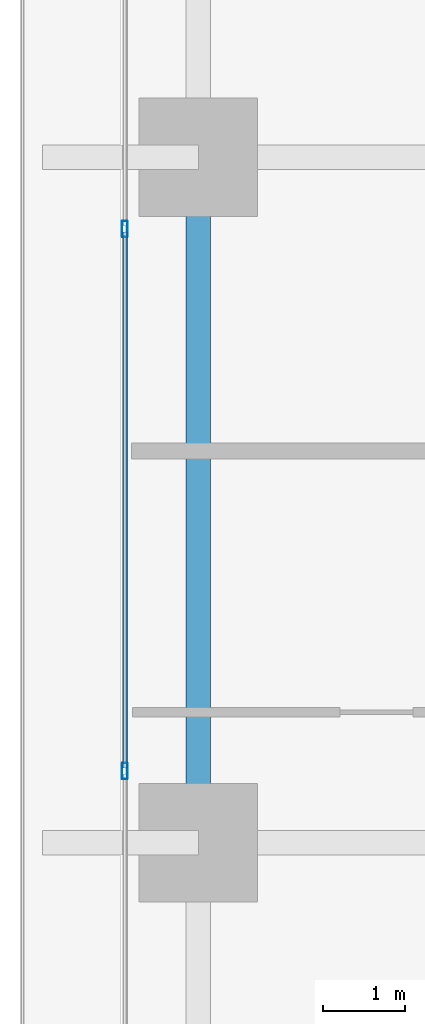
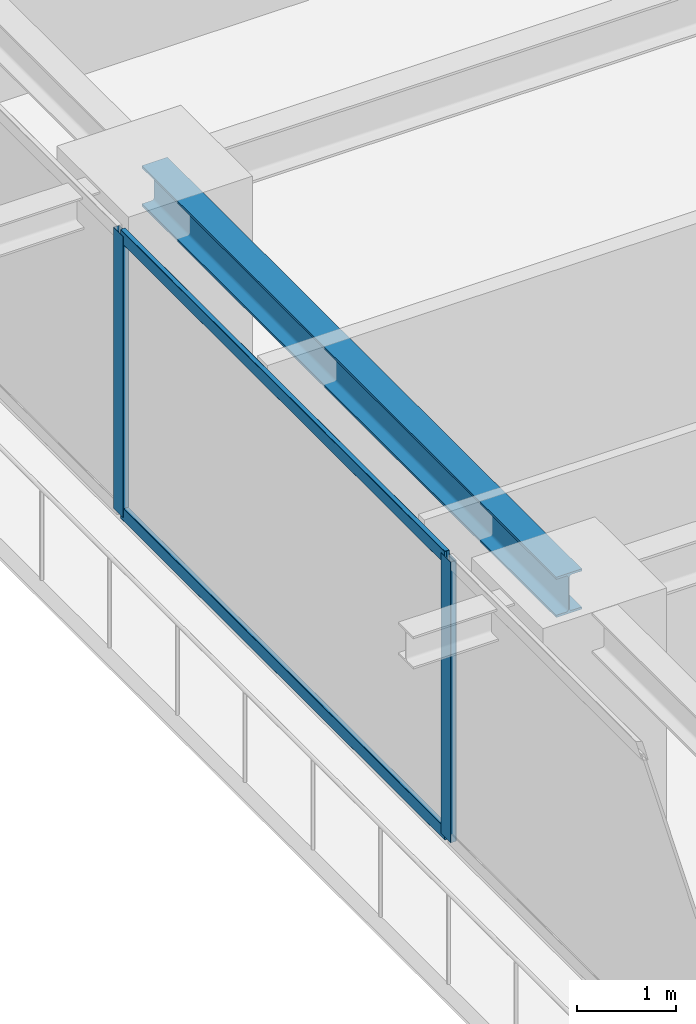
# One storey, part 9 of 39: 4 members, 1 beam, 1 element without a shape of its own.
"""IFC4 building model written with IfcOpenShell, lengths in metres."""

from ifc_helpers import new_model, si_unit, direction, frame, origin, origin_2d, place, context, subcontext, project, spatial, hollow_rectangle, i_section, extrude, source, transform, mapped, material, layer, layer_set, material_profile, profile_set, type_object, element, aggregate, save


model = new_model("IFC4")

# Units and contexts
model_context = context("Model", 3, precision=1e-05, world=origin(), true_north=direction((0.0, 1.0)))
body_context = subcontext(model_context, "Body", "Model", "MODEL_VIEW")
ifc_project = project(units=[si_unit("LENGTHUNIT", "METRE"), si_unit("AREAUNIT", "SQUARE_METRE"), si_unit("VOLUMEUNIT", "CUBIC_METRE"), si_unit("PLANEANGLEUNIT", "RADIAN"), si_unit("MASSUNIT", "GRAM", prefix="KILO")], contexts=[model_context])

# Site, building, storey
site_placement = place(None, origin())
site = spatial("IfcSite", under=ifc_project, at=site_placement, CompositionType="ELEMENT")
building_placement = place(site_placement, origin())
building = spatial("IfcBuilding", under=site, at=building_placement, Name="Serunith Strait Residences", CompositionType="ELEMENT")
storey_placement = place(building_placement, frame((0.0, 0.0, 49.199951171875)))
storey = spatial("IfcBuildingStorey", under=building, at=storey_placement, Name="L11", CompositionType="ELEMENT", Elevation=49.199951171875)

# Beam
ifc_material_1 = material(Name="Steel S355J2", Category="steel")
ifc_material_profile_1 = material_profile(ifc_material_1, i_section(OverallWidth=0.300048828125, OverallDepth=0.5, WebThickness=0.014404296875, FlangeThickness=0.028076171875, FilletRadius=0.027099609375, at=origin_2d()), Name="HEB 500")
ifc_profile_set_1 = profile_set([ifc_material_profile_1], Name="Steel S355J2")
beam_type = type_object("IfcBeamType", Name="BM-HEB500", PredefinedType="BEAM", material=ifc_profile_set_1)
shared_shape_1 = source(origin(), body_context, "Body", "SweptSolid", [
    extrude(i_section(OverallWidth=0.300048828125, OverallDepth=0.5, WebThickness=0.014404296875, FlangeThickness=0.028076171875, FilletRadius=0.027099609375, at=origin_2d()), origin(), (0.0, 0.0, 1.0), 8.39990234375),
])
beam_placement = place(storey_placement, frame((6.89990234375, 29.39990234375, 3.237060546875), z_axis=(0.0, -1.0, 0.0), x_axis=(1.0, 0.0, 0.0)))
element("IfcBeam", 1, at=beam_placement, inside=storey, type_object=beam_type, Name="L11 Perimeter Ring Beam 14", PredefinedType="BEAM", context=body_context, shape_type="MappedRepresentation", body=[
    mapped(shared_shape_1, transform((0.0, 0.0, 0.0), scale=1.0)),
])

# Curtain wall, members
ifc_material_2 = material(Name="Pale-Champagne Anodised Aluminium", Category="aluminium")
ifc_layer = layer(ifc_material_2, 0.199951171875, Name="Pale-Champagne Anodised Aluminium")
ifc_layer_set = layer_set([ifc_layer], Name="Pale-Champagne Anodised Aluminium")
curtain_wall_type = type_object("IfcCurtainWallType", Name="CW-SYS1", PredefinedType="NOTDEFINED", material=ifc_layer_set)
curtain_wall_placement = place(storey_placement, origin())
curtain_wall = element("IfcCurtainWall", 2, at=curtain_wall_placement, inside=storey, type_object=curtain_wall_type, Name="L11 W Unitised Fritted Curtain Wall", PredefinedType="NOTDEFINED")
ifc_material_profile_2 = material_profile(ifc_material_2, hollow_rectangle(XDim=0.070068359375, YDim=0.199951171875, WallThickness=0.00390625, InnerFilletRadius=0.006103515625, OuterFilletRadius=0.010009765625, at=origin_2d()), Name="ALU 200x70x4")
ifc_profile_set_2 = profile_set([ifc_material_profile_2], Name="Pale-Champagne Anodised Aluminium")
member_type_1 = type_object("IfcMemberType", Name="CW-SYS1-MULL", PredefinedType="MULLION", material=ifc_profile_set_2)
shared_shape_2 = source(origin(), body_context, "Body", "SweptSolid", [
    extrude(hollow_rectangle(XDim=0.070068359375, YDim=0.199951171875, WallThickness=0.00390625, InnerFilletRadius=0.006103515625, OuterFilletRadius=0.010009765625, at=origin_2d()), origin(), (0.0, 0.0, 1.0), 3.47509765625),
])
member_1_placement = place(storey_placement, frame((6.0, 28.52001953125, 0.0), z_axis=(0.0, 0.0, 1.0), x_axis=(1.0, 0.0, 0.0)))
member_1 = element("IfcMember", 3, at=member_1_placement, type_object=member_type_1, Name="CW-1 mullion 3", PredefinedType="MULLION", context=body_context, shape_type="MappedRepresentation", body=[
    mapped(shared_shape_2, transform((0.0, 0.0, 0.0), scale=1.0)),
])
member_2_placement = place(storey_placement, frame((6.0, 21.8798828125, 0.0), z_axis=(0.0, 0.0, 1.0), x_axis=(1.0, 0.0, 0.0)))
member_2 = element("IfcMember", 4, at=member_2_placement, type_object=member_type_1, Name="CW-1 mullion 4", PredefinedType="MULLION", context=body_context, shape_type="MappedRepresentation", body=[
    mapped(shared_shape_2, transform((0.0, 0.0, 0.0), scale=1.0)),
])
ifc_material_profile_3 = material_profile(ifc_material_2, hollow_rectangle(XDim=0.06005859375, YDim=0.159912109375, WallThickness=0.00341796875, InnerFilletRadius=0.00537109375, OuterFilletRadius=0.0087890625, at=origin_2d()), Name="ALU 160x60x3.5")
ifc_profile_set_3 = profile_set([ifc_material_profile_3], Name="Pale-Champagne Anodised Aluminium")
member_type_2 = type_object("IfcMemberType", Name="CW-SYS1-TRAN", PredefinedType="USERDEFINED", material=ifc_profile_set_3)
shared_shape_3 = source(origin(), body_context, "Body", "SweptSolid", [
    extrude(hollow_rectangle(XDim=0.06005859375, YDim=0.159912109375, WallThickness=0.00341796875, InnerFilletRadius=0.00537109375, OuterFilletRadius=0.0087890625, at=origin_2d()), origin(), (0.0, 0.0, 1.0), 6.570068359375),
])
member_3_placement = place(storey_placement, frame((6.0, 28.485107421875, 0.030029296875), z_axis=(0.0, -1.0, 0.0), x_axis=(1.0, 0.0, 0.0)))
member_3 = element("IfcMember", 5, at=member_3_placement, type_object=member_type_2, Name="CW-1 transom 3.1", ObjectType="TRANSOM", PredefinedType="USERDEFINED", context=body_context, shape_type="MappedRepresentation", body=[
    mapped(shared_shape_3, transform((0.0, 0.0, 0.0), scale=1.0)),
])
member_4_placement = place(storey_placement, frame((6.0, 28.485107421875, 3.445068359375), z_axis=(0.0, -1.0, 0.0), x_axis=(1.0, 0.0, 0.0)))
member_4 = element("IfcMember", 6, at=member_4_placement, type_object=member_type_2, Name="CW-1 transom 3.2", ObjectType="TRANSOM", PredefinedType="USERDEFINED", context=body_context, shape_type="MappedRepresentation", body=[
    mapped(shared_shape_3, transform((0.0, 0.0, 0.0), scale=1.0)),
])
aggregate(curtain_wall, [member_1, member_2, member_3, member_4])

save(model, "model.ifc")
